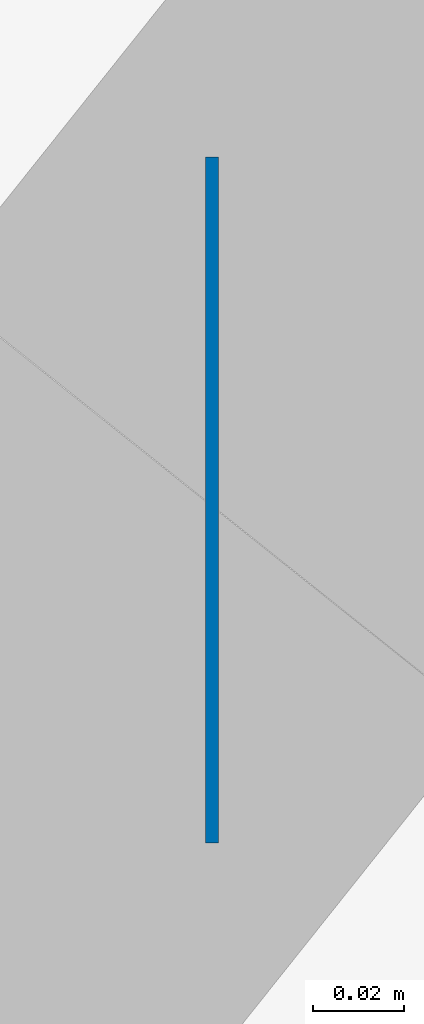
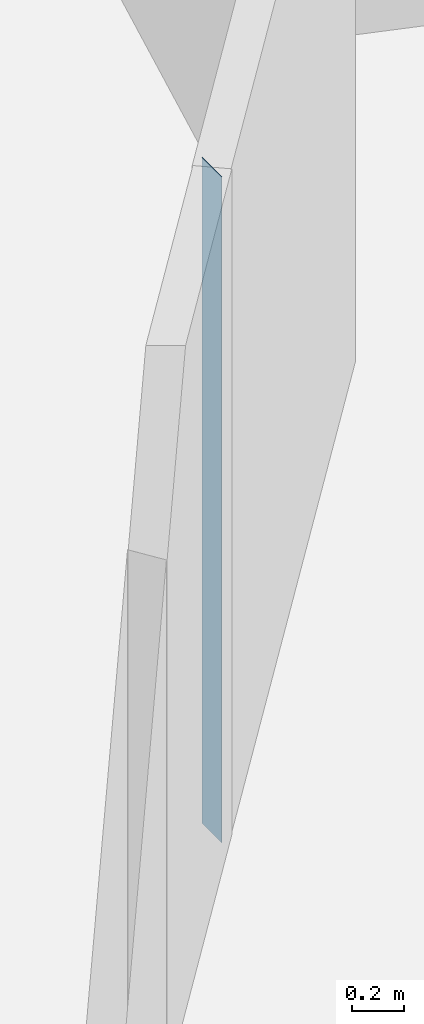
# One storey, part 5 of 13: 1 wall.
"""IFC4 building model written with IfcOpenShell, lengths in metres."""

from ifc_helpers import new_model, si_unit, direction, frame, frame_2d, origin, place, context, subcontext, project, spatial, rectangle, extrude, material, layer, layer_set, type_object, element, save


model = new_model("IFC4")

# Units and contexts
model_context = context("Model", 3, precision=1e-05, world=origin(), true_north=direction((0.0, 1.0)))
body_context = subcontext(model_context, "Body", "Model", "MODEL_VIEW")
ifc_project = project(units=[si_unit("LENGTHUNIT", "METRE"), si_unit("AREAUNIT", "SQUARE_METRE"), si_unit("VOLUMEUNIT", "CUBIC_METRE"), si_unit("PLANEANGLEUNIT", "RADIAN"), si_unit("MASSUNIT", "GRAM", prefix="KILO")], contexts=[model_context])

# Site, building, storey
site_placement = place(None, origin())
site = spatial("IfcSite", under=ifc_project, at=site_placement, CompositionType="ELEMENT")
building_placement = place(site_placement, origin())
building = spatial("IfcBuilding", under=site, at=building_placement, Name="Tracery Tower", CompositionType="ELEMENT")
storey_placement = place(building_placement, frame((0.0, 0.0, 274.199951171875)))
storey = spatial("IfcBuildingStorey", under=building, at=storey_placement, Name="L71", CompositionType="ELEMENT", Elevation=274.199951171875)

# Wall
ifc_material = material(Name="Plasterboard on steel studs", Category="steel")
ifc_layer = layer(ifc_material, 0.14990234375)
ifc_layer_set = layer_set([ifc_layer], Name="Partition 150 corridor wall")
wall_type = type_object("IfcWallType", Name="Partition 150 corridor wall", PredefinedType="PARTITIONING", material=ifc_layer_set)
wall_placement = place(storey_placement, frame((11.136962890625, -8.800048828125, 0.0), z_axis=(0.0, 0.0, 1.0), x_axis=(-1.0, 0.0, 0.0)))
element("IfcWall", 1, at=wall_placement, inside=storey, type_object=wall_type, Name="Corridor wall RC5-018", PredefinedType="PARTITIONING", context=body_context, shape_type="SweptSolid", body=[
    extrude(rectangle(XDim=0.0029296875, YDim=0.14990234375, at=frame_2d((0.00146484375, 0.0))), origin(), (0.0, 0.0, 1.0), 3.10009765625),
])

save(model, "model.ifc")
